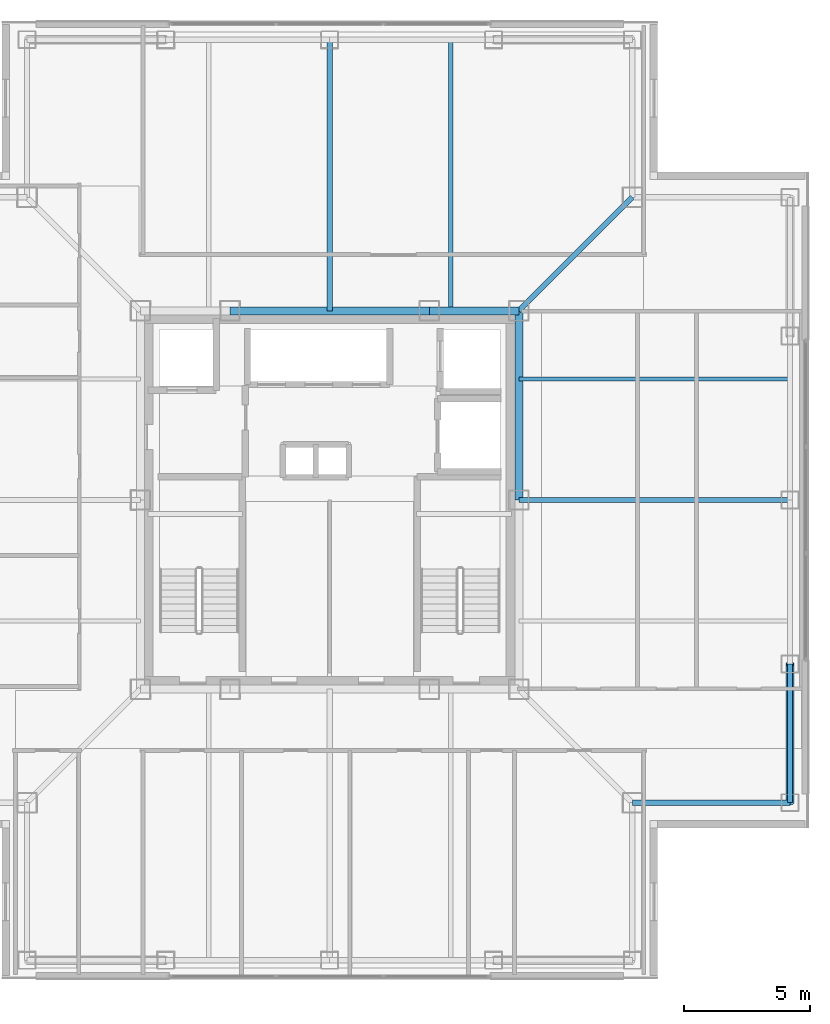
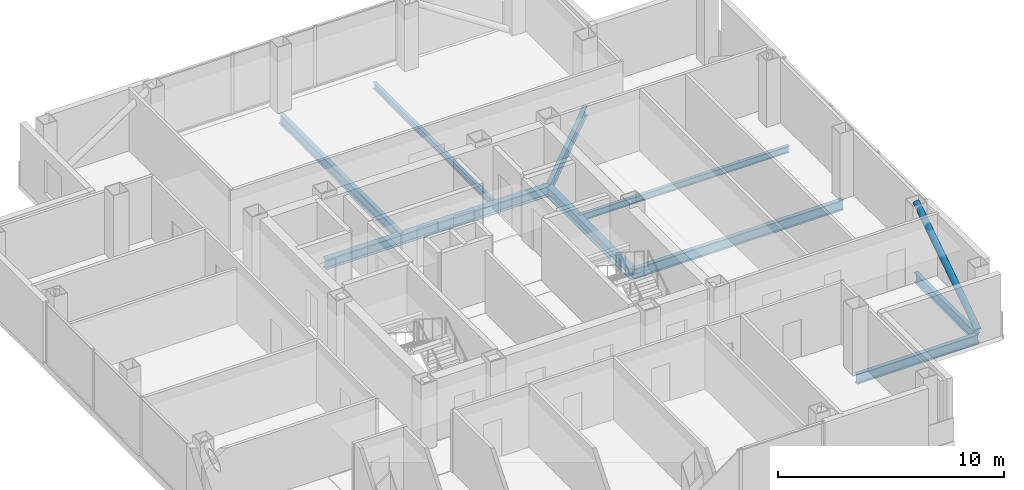
# One storey, part 5 of 16: 10 beams, 1 member.
"""IFC4 building model written with IfcOpenShell, lengths in metres."""

from ifc_helpers import new_model, si_unit, direction, frame, origin, origin_2d, place, context, subcontext, project, spatial, hollow_circle, i_section, extrude, material, material_profile, profile_set, type_object, element, save


model = new_model("IFC4")

# Units and contexts
model_context = context("Model", 3, precision=1e-05, world=origin(), true_north=direction((0.0, 1.0)))
body_context = subcontext(model_context, "Body", "Model", "MODEL_VIEW")
ifc_project = project(units=[si_unit("LENGTHUNIT", "METRE"), si_unit("AREAUNIT", "SQUARE_METRE"), si_unit("VOLUMEUNIT", "CUBIC_METRE"), si_unit("PLANEANGLEUNIT", "RADIAN"), si_unit("MASSUNIT", "GRAM", prefix="KILO")], contexts=[model_context])

# Site, building, storey
site_placement = place(None, origin())
site = spatial("IfcSite", under=ifc_project, at=site_placement, CompositionType="ELEMENT")
building_placement = place(site_placement, origin())
building = spatial("IfcBuilding", under=site, at=building_placement, Name="Trevonay Congress Spire", CompositionType="ELEMENT")
storey_placement = place(building_placement, frame((0.0, 0.0, 290.0)))
storey = spatial("IfcBuildingStorey", under=building, at=storey_placement, Name="L76", CompositionType="ELEMENT", Elevation=290.0)

# Beams
ifc_material_1 = material(Name="Steel ASTM A572 Grade 50", Category="steel")
ifc_material_profile_1 = material_profile(ifc_material_1, i_section(OverallWidth=0.2119140625, OverallDepth=0.5439453125, WebThickness=0.01318359375, FlangeThickness=0.021240234375, FilletRadius=0.014892578125, at=origin_2d()), Name="W530x123")
ifc_profile_set_1 = profile_set([ifc_material_profile_1], Name="Steel ASTM A572 Grade 50")
beam_type_1 = type_object("IfcBeamType", Name="BM-GIRD-W530X123", PredefinedType="BEAM", material=ifc_profile_set_1)
beam_1_placement = place(storey_placement, frame((7.5, 7.5, -0.511962890625), z_axis=(0.707106781187, 0.707106781187, 0.0), x_axis=(-0.707106781187, 0.707106781187, 0.0)))
element("IfcBeam", 1, at=beam_1_placement, inside=storey, type_object=beam_type_1, Name="L76 structural beam BM-L76-CDNE", PredefinedType="BEAM", context=body_context, shape_type="SweptSolid", body=[
    extrude(i_section(OverallWidth=0.2119140625, OverallDepth=0.5439453125, WebThickness=0.01318359375, FlangeThickness=0.021240234375, FilletRadius=0.014892578125, at=origin_2d()), origin(), (0.0, 0.0, 1.0), 6.364013671875),
])
for number, where, z_axis, x_axis, name in (
    (2, (0.0, 7.5, -0.511962890625), (0.0, 1.0, 0.0), (-1.0, 0.0, 0.0), "L76 structural beam BM-L76-GC-N"),
    (3, (7.5, 0.0, -0.511962890625), (1.0, 0.0, 0.0), (0.0, 1.0, 0.0), "L76 structural beam BM-L76-GC-E"),
):
    element("IfcBeam", number, at=place(storey_placement, frame(where, z_axis=z_axis, x_axis=x_axis)), inside=storey, type_object=beam_type_1, Name=name, PredefinedType="BEAM", context=body_context, shape_type="SweptSolid", body=[
        extrude(i_section(OverallWidth=0.2119140625, OverallDepth=0.5439453125, WebThickness=0.01318359375, FlangeThickness=0.021240234375, FilletRadius=0.014892578125, at=origin_2d()), origin(), (0.0, 0.0, 1.0), 10.75),
    ])
ifc_material_profile_2 = material_profile(ifc_material_1, i_section(OverallWidth=0.31201171875, OverallDepth=0.54296875, WebThickness=0.0126953125, FlangeThickness=0.020263671875, FilletRadius=0.014892578125, at=origin_2d()), Name="W530x150")
ifc_profile_set_2 = profile_set([ifc_material_profile_2], Name="Steel ASTM A572 Grade 50")
beam_type_2 = type_object("IfcBeamType", Name="BM-GIRD-W530X150", PredefinedType="BEAM", material=ifc_profile_set_2)
beam_2_placement = place(storey_placement, frame((-3.949951171875, 7.5, -0.511474609375), z_axis=(1.0, 0.0, 0.0), x_axis=(0.0, 1.0, 0.0)))
element("IfcBeam", 4, at=beam_2_placement, inside=storey, type_object=beam_type_2, Name="L76 structural beam BM-L76-CR-N2", PredefinedType="BEAM", context=body_context, shape_type="SweptSolid", body=[
    extrude(i_section(OverallWidth=0.31201171875, OverallDepth=0.54296875, WebThickness=0.0126953125, FlangeThickness=0.020263671875, FilletRadius=0.014892578125, at=origin_2d()), origin(), (0.0, 0.0, 1.0), 7.89990234375),
])
beam_3_placement = place(storey_placement, frame((3.949951171875, 7.5, -0.511474609375), z_axis=(1.0, 0.0, 0.0), x_axis=(0.0, 1.0, 0.0)))
element("IfcBeam", 5, at=beam_3_placement, inside=storey, type_object=beam_type_2, Name="L76 structural beam BM-L76-CR-N3", PredefinedType="BEAM", context=body_context, shape_type="SweptSolid", body=[
    extrude(i_section(OverallWidth=0.31201171875, OverallDepth=0.54296875, WebThickness=0.0126953125, FlangeThickness=0.020263671875, FilletRadius=0.014892578125, at=origin_2d()), origin(), (0.0, 0.0, 1.0), 3.550048828125),
])
beam_4_placement = place(storey_placement, frame((7.5, 0.0, -0.511474609375), z_axis=(0.0, 1.0, 0.0), x_axis=(-1.0, 0.0, 0.0)))
element("IfcBeam", 6, at=beam_4_placement, inside=storey, type_object=beam_type_2, Name="L76 structural beam BM-L76-CR-E2", PredefinedType="BEAM", context=body_context, shape_type="SweptSolid", body=[
    extrude(i_section(OverallWidth=0.31201171875, OverallDepth=0.54296875, WebThickness=0.0126953125, FlangeThickness=0.020263671875, FilletRadius=0.014892578125, at=origin_2d()), origin(), (0.0, 0.0, 1.0), 7.5),
])
ifc_material_profile_3 = material_profile(ifc_material_1, i_section(OverallWidth=0.208984375, OverallDepth=0.532958984375, WebThickness=0.01025390625, FlangeThickness=0.015625, FilletRadius=0.014892578125, at=origin_2d()), Name="W530x92")
ifc_profile_set_3 = profile_set([ifc_material_profile_3], Name="Steel ASTM A572 Grade 50")
beam_type_3 = type_object("IfcBeamType", Name="BM-RING-W530X92", PredefinedType="BEAM", material=ifc_profile_set_3)
beam_5_placement = place(storey_placement, frame((18.25, -12.0, -0.506591796875), z_axis=(0.0, 1.0, 0.0), x_axis=(-1.0, 0.0, 0.0)))
element("IfcBeam", 7, at=beam_5_placement, inside=storey, type_object=beam_type_3, Name="L76 structural beam BM-L76-PE1", PredefinedType="BEAM", context=body_context, shape_type="SweptSolid", body=[
    extrude(i_section(OverallWidth=0.208984375, OverallDepth=0.532958984375, WebThickness=0.01025390625, FlangeThickness=0.015625, FilletRadius=0.014892578125, at=origin_2d()), origin(), (0.0, 0.0, 1.0), 5.5),
])
beam_6_placement = place(storey_placement, frame((18.25, -12.0, -0.506591796875), z_axis=(-1.0, 0.0, 0.0), x_axis=(0.0, -1.0, 0.0)))
element("IfcBeam", 8, at=beam_6_placement, inside=storey, type_object=beam_type_3, Name="L76 structural beam BM-L76-N2SE", PredefinedType="BEAM", context=body_context, shape_type="SweptSolid", body=[
    extrude(i_section(OverallWidth=0.208984375, OverallDepth=0.532958984375, WebThickness=0.01025390625, FlangeThickness=0.015625, FilletRadius=0.014892578125, at=origin_2d()), origin(), (0.0, 0.0, 1.0), 6.25),
])
ifc_material_profile_4 = material_profile(ifc_material_1, i_section(OverallWidth=0.172119140625, OverallDepth=0.35791015625, WebThickness=0.0078125, FlangeThickness=0.01318359375, FilletRadius=0.011962890625, at=origin_2d()), Name="W360x57.8")
ifc_profile_set_4 = profile_set([ifc_material_profile_4], Name="Steel ASTM A572 Grade 50")
beam_type_4 = type_object("IfcBeamType", Name="JS-COMP-W360X57", PredefinedType="JOIST", material=ifc_profile_set_4)
for number, where, z_axis, x_axis, name in (
    (9, (4.800048828125, 7.5, -0.4189453125), (0.0, 1.0, 0.0), (-1.0, 0.0, 0.0), "L76 structural beam JS-L76-NS-N3"),
    (10, (7.5, 4.800048828125, -0.4189453125), (1.0, 0.0, 0.0), (0.0, 1.0, 0.0), "L76 structural beam JS-L76-EW-E3"),
):
    element("IfcBeam", number, at=place(storey_placement, frame(where, z_axis=z_axis, x_axis=x_axis)), inside=storey, type_object=beam_type_4, Name=name, PredefinedType="JOIST", context=body_context, shape_type="SweptSolid", body=[
        extrude(i_section(OverallWidth=0.172119140625, OverallDepth=0.35791015625, WebThickness=0.0078125, FlangeThickness=0.01318359375, FilletRadius=0.011962890625, at=origin_2d()), origin(), (0.0, 0.0, 1.0), 10.75),
    ])

# Member
ifc_material_2 = material(Name="Steel ASTM A500 Grade C", Category="steel")
ifc_material_profile_5 = material_profile(ifc_material_2, hollow_circle(Radius=0.161865234375, WallThickness=0.01611328125, at=origin_2d()), Name="CHS 323.9x16")
ifc_profile_set_5 = profile_set([ifc_material_profile_5], Name="Steel ASTM A500 Grade C")
member_type = type_object("IfcMemberType", Name="MBR-TUBE-CHS324", PredefinedType="BRACE", material=ifc_profile_set_5)
member_placement = place(storey_placement, frame((18.25, -12.0, -0.050048828125), z_axis=(0.0, 0.836694709366, 0.547669574943), x_axis=(-1.0, 0.0, 0.0)))
element("IfcMember", 11, at=member_placement, inside=storey, type_object=member_type, Name="L76 perimeter braced-tube diagonal E0", PredefinedType="BRACE", context=body_context, shape_type="SweptSolid", body=[
    extrude(hollow_circle(Radius=0.161865234375, WallThickness=0.01611328125, at=origin_2d()), origin(), (0.0, 0.0, 1.0), 6.573486328125),
])

save(model, "model.ifc")
